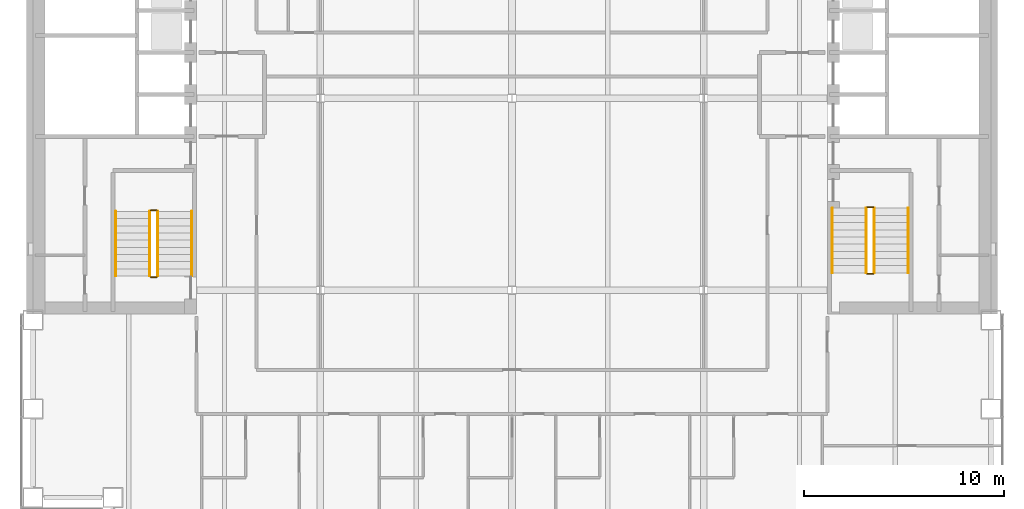
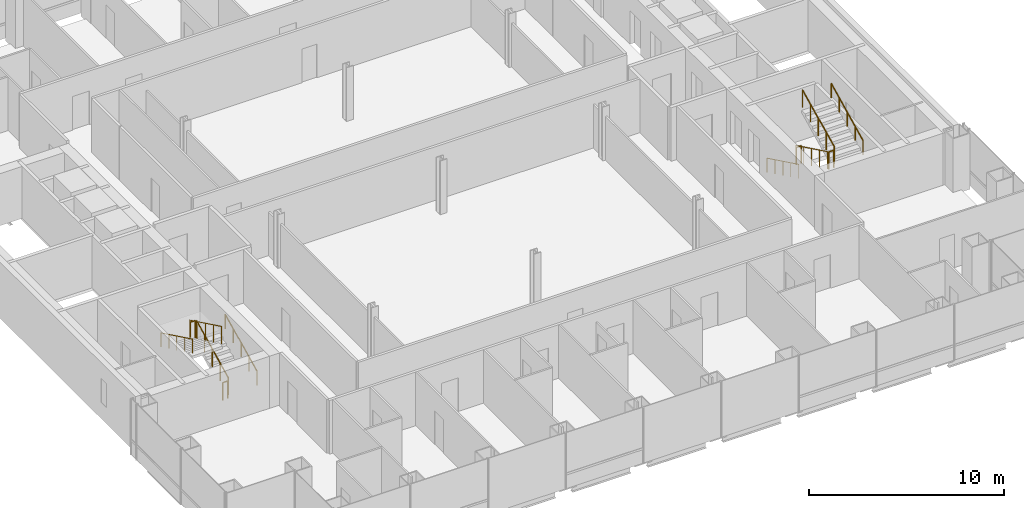
# One storey, part 20 of 21: 12 railings.
"""IFC4 building model written with IfcOpenShell, lengths in metres."""

from ifc_helpers import new_model, si_unit, direction, frame, origin, origin_2d, place, context, subcontext, project, spatial, circle, extrude, material, type_object, element, save


model = new_model("IFC4")

# Units and contexts
model_context = context("Model", 3, precision=1e-05, world=origin(), true_north=direction((0.0, 1.0)))
body_context = subcontext(model_context, "Body", "Model", "MODEL_VIEW")
ifc_project = project(units=[si_unit("LENGTHUNIT", "METRE"), si_unit("AREAUNIT", "SQUARE_METRE"), si_unit("VOLUMEUNIT", "CUBIC_METRE"), si_unit("PLANEANGLEUNIT", "RADIAN"), si_unit("MASSUNIT", "GRAM", prefix="KILO")], contexts=[model_context])

# Site, building, storey
site_placement = place(None, origin())
site = spatial("IfcSite", under=ifc_project, at=site_placement, CompositionType="ELEMENT")
building_placement = place(site_placement, origin())
building = spatial("IfcBuilding", under=site, at=building_placement, Name="Cobrizo Arcos Hotel Tower", CompositionType="ELEMENT")
storey_placement = place(building_placement, frame((0.0, 0.0, 42.5)))
storey = spatial("IfcBuildingStorey", under=building, at=storey_placement, Name="L08", CompositionType="ELEMENT", Elevation=42.5)

# Railings
ifc_material = material(Name="Stainless steel railing", Category="steel")
railing_type_1 = type_object("IfcRailingType", Name="Stair guard 1100", PredefinedType="GUARDRAIL", material=ifc_material)
railing_1_placement = place(storey_placement, frame((-17.75, -8.89990234375, 0.175048828125)))
element("IfcRailing", 1, at=railing_1_placement, inside=storey, type_object=railing_type_1, Name="L08 ST-W stair guard 1", PredefinedType="GUARDRAIL", context=body_context, shape_type="SweptSolid", body=[
    extrude(circle(Radius=0.02392578125, at=origin_2d()), frame((0.0, 0.0, 1.076171875), z_axis=(0.0, 0.899372665325, 0.437182809435), x_axis=(-1.0, 0.0, 0.0)), (0.0, 0.0, 1.0), 3.6025390625),
    extrude(circle(Radius=0.02099609375, at=origin_2d()), origin(), (0.0, 0.0, 1.0), 1.052001953125),
    extrude(circle(Radius=0.02099609375, at=origin_2d()), frame((0.0, 0.81005859375, 0.393798828125)), (0.0, 0.0, 1.0), 1.052001953125),
    extrude(circle(Radius=0.02099609375, at=origin_2d()), frame((0.0, 1.6201171875, 0.78759765625)), (0.0, 0.0, 1.0), 1.052001953125),
    extrude(circle(Radius=0.02099609375, at=origin_2d()), frame((0.0, 2.429931640625, 1.18115234375)), (0.0, 0.0, 1.0), 1.052001953125),
    extrude(circle(Radius=0.02099609375, at=origin_2d()), frame((0.0, 3.239990234375, 1.574951171875)), (0.0, 0.0, 1.0), 1.052001953125),
])
railing_2_placement = place(storey_placement, frame((-17.800048828125, -5.610107421875, 1.75)))
element("IfcRailing", 2, at=railing_2_placement, inside=storey, type_object=railing_type_1, Name="L08 ST-W stair guard 2", PredefinedType="GUARDRAIL", context=body_context, shape_type="SweptSolid", body=[
    extrude(circle(Radius=0.02392578125, at=origin_2d()), frame((0.0, 0.0, 1.076171875), z_axis=(-1.0, 0.0, 0.0), x_axis=(0.0, -1.0, 0.0)), (0.0, 0.0, 1.0), 0.300048828125),
    extrude(circle(Radius=0.02099609375, at=origin_2d()), origin(), (0.0, 0.0, 1.0), 1.052001953125),
    extrude(circle(Radius=0.02099609375, at=origin_2d()), frame((-0.300048828125, 0.0, 0.0)), (0.0, 0.0, 1.0), 1.052001953125),
])
railing_3_placement = place(storey_placement, frame((-18.14990234375, -5.659912109375, 1.925048828125)))
element("IfcRailing", 3, at=railing_3_placement, inside=storey, type_object=railing_type_1, Name="L08 ST-W stair guard 3", PredefinedType="GUARDRAIL", context=body_context, shape_type="SweptSolid", body=[
    extrude(circle(Radius=0.02392578125, at=origin_2d()), frame((0.0, 0.0, 1.076171875), z_axis=(0.0, -0.899372665325, 0.437182809435), x_axis=(1.0, 0.0, 0.0)), (0.0, 0.0, 1.0), 3.6025390625),
    extrude(circle(Radius=0.02099609375, at=origin_2d()), origin(), (0.0, 0.0, 1.0), 1.052001953125),
    extrude(circle(Radius=0.02099609375, at=origin_2d()), frame((0.0, -0.81005859375, 0.393798828125)), (0.0, 0.0, 1.0), 1.052001953125),
    extrude(circle(Radius=0.02099609375, at=origin_2d()), frame((0.0, -1.6201171875, 0.78759765625)), (0.0, 0.0, 1.0), 1.052001953125),
    extrude(circle(Radius=0.02099609375, at=origin_2d()), frame((0.0, -2.429931640625, 1.18115234375)), (0.0, 0.0, 1.0), 1.052001953125),
    extrude(circle(Radius=0.02099609375, at=origin_2d()), frame((0.0, -3.239990234375, 1.574951171875)), (0.0, 0.0, 1.0), 1.052001953125),
])
railing_4_placement = place(storey_placement, frame((-17.800048828125, -8.949951171875, 0.0)))
element("IfcRailing", 4, at=railing_4_placement, inside=storey, type_object=railing_type_1, Name="L08 ST-W stair guard 4", PredefinedType="GUARDRAIL", context=body_context, shape_type="SweptSolid", body=[
    extrude(circle(Radius=0.02392578125, at=origin_2d()), frame((0.0, 0.0, 1.076171875), z_axis=(-1.0, 0.0, 0.0), x_axis=(0.0, -1.0, 0.0)), (0.0, 0.0, 1.0), 0.300048828125),
    extrude(circle(Radius=0.02099609375, at=origin_2d()), origin(), (0.0, 0.0, 1.0), 1.052001953125),
    extrude(circle(Radius=0.02099609375, at=origin_2d()), frame((-0.300048828125, 0.0, 0.0)), (0.0, 0.0, 1.0), 1.052001953125),
])
railing_5_placement = place(storey_placement, frame((17.75, -5.5, 0.175048828125)))
element("IfcRailing", 5, at=railing_5_placement, inside=storey, type_object=railing_type_1, Name="L08 ST-E stair guard 1", PredefinedType="GUARDRAIL", context=body_context, shape_type="SweptSolid", body=[
    extrude(circle(Radius=0.02392578125, at=origin_2d()), frame((0.0, 0.0, 1.076171875), z_axis=(0.0, -0.899372665325, 0.437182809435), x_axis=(1.0, 0.0, 0.0)), (0.0, 0.0, 1.0), 3.6025390625),
    extrude(circle(Radius=0.02099609375, at=origin_2d()), origin(), (0.0, 0.0, 1.0), 1.052001953125),
    extrude(circle(Radius=0.02099609375, at=origin_2d()), frame((0.0, -0.81005859375, 0.393798828125)), (0.0, 0.0, 1.0), 1.052001953125),
    extrude(circle(Radius=0.02099609375, at=origin_2d()), frame((0.0, -1.6201171875, 0.78759765625)), (0.0, 0.0, 1.0), 1.052001953125),
    extrude(circle(Radius=0.02099609375, at=origin_2d()), frame((0.0, -2.429931640625, 1.18115234375)), (0.0, 0.0, 1.0), 1.052001953125),
    extrude(circle(Radius=0.02099609375, at=origin_2d()), frame((0.0, -3.239990234375, 1.574951171875)), (0.0, 0.0, 1.0), 1.052001953125),
])
railing_6_placement = place(storey_placement, frame((17.800048828125, -8.7900390625, 1.75)))
element("IfcRailing", 6, at=railing_6_placement, inside=storey, type_object=railing_type_1, Name="L08 ST-E stair guard 2", PredefinedType="GUARDRAIL", context=body_context, shape_type="SweptSolid", body=[
    extrude(circle(Radius=0.02392578125, at=origin_2d()), frame((0.0, 0.0, 1.076171875), z_axis=(1.0, 0.0, 0.0), x_axis=(0.0, 1.0, 0.0)), (0.0, 0.0, 1.0), 0.300048828125),
    extrude(circle(Radius=0.02099609375, at=origin_2d()), origin(), (0.0, 0.0, 1.0), 1.052001953125),
    extrude(circle(Radius=0.02099609375, at=origin_2d()), frame((0.300048828125, 0.0, 0.0)), (0.0, 0.0, 1.0), 1.052001953125),
])
railing_7_placement = place(storey_placement, frame((18.14990234375, -8.739990234375, 1.925048828125)))
element("IfcRailing", 7, at=railing_7_placement, inside=storey, type_object=railing_type_1, Name="L08 ST-E stair guard 3", PredefinedType="GUARDRAIL", context=body_context, shape_type="SweptSolid", body=[
    extrude(circle(Radius=0.02392578125, at=origin_2d()), frame((0.0, 0.0, 1.076171875), z_axis=(0.0, 0.899372665325, 0.437182809435), x_axis=(-1.0, 0.0, 0.0)), (0.0, 0.0, 1.0), 3.6025390625),
    extrude(circle(Radius=0.02099609375, at=origin_2d()), origin(), (0.0, 0.0, 1.0), 1.052001953125),
    extrude(circle(Radius=0.02099609375, at=origin_2d()), frame((0.0, 0.81005859375, 0.393798828125)), (0.0, 0.0, 1.0), 1.052001953125),
    extrude(circle(Radius=0.02099609375, at=origin_2d()), frame((0.0, 1.6201171875, 0.78759765625)), (0.0, 0.0, 1.0), 1.052001953125),
    extrude(circle(Radius=0.02099609375, at=origin_2d()), frame((0.0, 2.429931640625, 1.18115234375)), (0.0, 0.0, 1.0), 1.052001953125),
    extrude(circle(Radius=0.02099609375, at=origin_2d()), frame((0.0, 3.239990234375, 1.574951171875)), (0.0, 0.0, 1.0), 1.052001953125),
])
railing_8_placement = place(storey_placement, frame((17.800048828125, -5.449951171875, 0.0)))
element("IfcRailing", 8, at=railing_8_placement, inside=storey, type_object=railing_type_1, Name="L08 ST-E stair guard 4", PredefinedType="GUARDRAIL", context=body_context, shape_type="SweptSolid", body=[
    extrude(circle(Radius=0.02392578125, at=origin_2d()), frame((0.0, 0.0, 1.076171875), z_axis=(1.0, 0.0, 0.0), x_axis=(0.0, 1.0, 0.0)), (0.0, 0.0, 1.0), 0.300048828125),
    extrude(circle(Radius=0.02099609375, at=origin_2d()), origin(), (0.0, 0.0, 1.0), 1.052001953125),
    extrude(circle(Radius=0.02099609375, at=origin_2d()), frame((0.300048828125, 0.0, 0.0)), (0.0, 0.0, 1.0), 1.052001953125),
])
railing_type_2 = type_object("IfcRailingType", Name="Stair handrail", PredefinedType="HANDRAIL", material=ifc_material)
railing_9_placement = place(storey_placement, frame((-16.050048828125, -8.89990234375, 0.175048828125)))
element("IfcRailing", 9, at=railing_9_placement, inside=storey, type_object=railing_type_2, Name="L08 ST-W stair handrail 1", PredefinedType="HANDRAIL", context=body_context, shape_type="SweptSolid", body=[
    extrude(circle(Radius=0.02392578125, at=origin_2d()), frame((0.0, 0.0, 0.8759765625), z_axis=(0.0, 0.899372665325, 0.437182809435), x_axis=(-1.0, 0.0, 0.0)), (0.0, 0.0, 1.0), 3.6025390625),
    extrude(circle(Radius=0.02099609375, at=origin_2d()), origin(), (0.0, 0.0, 1.0), 0.851806640625),
    extrude(circle(Radius=0.02099609375, at=origin_2d()), frame((0.0, 0.81005859375, 0.393798828125)), (0.0, 0.0, 1.0), 0.851806640625),
    extrude(circle(Radius=0.02099609375, at=origin_2d()), frame((0.0, 1.6201171875, 0.78759765625)), (0.0, 0.0, 1.0), 0.851806640625),
    extrude(circle(Radius=0.02099609375, at=origin_2d()), frame((0.0, 2.429931640625, 1.18115234375)), (0.0, 0.0, 1.0), 0.851806640625),
    extrude(circle(Radius=0.02099609375, at=origin_2d()), frame((0.0, 3.239990234375, 1.574951171875)), (0.0, 0.0, 1.0), 0.851806640625),
])
for number, where, name in (
    (10, (-19.85009765625, -5.659912109375, 1.925048828125), "L08 ST-W stair handrail 2"),
    (11, (16.050048828125, -5.5, 0.175048828125), "L08 ST-E stair handrail 1"),
):
    element("IfcRailing", number, at=place(storey_placement, frame(where)), inside=storey, type_object=railing_type_2, Name=name, PredefinedType="HANDRAIL", context=body_context, shape_type="SweptSolid", body=[
        extrude(circle(Radius=0.02392578125, at=origin_2d()), frame((0.0, 0.0, 0.8759765625), z_axis=(0.0, -0.899372665325, 0.437182809435), x_axis=(1.0, 0.0, 0.0)), (0.0, 0.0, 1.0), 3.6025390625),
        extrude(circle(Radius=0.02099609375, at=origin_2d()), origin(), (0.0, 0.0, 1.0), 0.851806640625),
        extrude(circle(Radius=0.02099609375, at=origin_2d()), frame((0.0, -0.81005859375, 0.393798828125)), (0.0, 0.0, 1.0), 0.851806640625),
        extrude(circle(Radius=0.02099609375, at=origin_2d()), frame((0.0, -1.6201171875, 0.78759765625)), (0.0, 0.0, 1.0), 0.851806640625),
        extrude(circle(Radius=0.02099609375, at=origin_2d()), frame((0.0, -2.429931640625, 1.18115234375)), (0.0, 0.0, 1.0), 0.851806640625),
        extrude(circle(Radius=0.02099609375, at=origin_2d()), frame((0.0, -3.239990234375, 1.574951171875)), (0.0, 0.0, 1.0), 0.851806640625),
    ])
railing_10_placement = place(storey_placement, frame((19.85009765625, -8.739990234375, 1.925048828125)))
element("IfcRailing", 12, at=railing_10_placement, inside=storey, type_object=railing_type_2, Name="L08 ST-E stair handrail 2", PredefinedType="HANDRAIL", context=body_context, shape_type="SweptSolid", body=[
    extrude(circle(Radius=0.02392578125, at=origin_2d()), frame((0.0, 0.0, 0.8759765625), z_axis=(0.0, 0.899372665325, 0.437182809435), x_axis=(-1.0, 0.0, 0.0)), (0.0, 0.0, 1.0), 3.6025390625),
    extrude(circle(Radius=0.02099609375, at=origin_2d()), origin(), (0.0, 0.0, 1.0), 0.851806640625),
    extrude(circle(Radius=0.02099609375, at=origin_2d()), frame((0.0, 0.81005859375, 0.393798828125)), (0.0, 0.0, 1.0), 0.851806640625),
    extrude(circle(Radius=0.02099609375, at=origin_2d()), frame((0.0, 1.6201171875, 0.78759765625)), (0.0, 0.0, 1.0), 0.851806640625),
    extrude(circle(Radius=0.02099609375, at=origin_2d()), frame((0.0, 2.429931640625, 1.18115234375)), (0.0, 0.0, 1.0), 0.851806640625),
    extrude(circle(Radius=0.02099609375, at=origin_2d()), frame((0.0, 3.239990234375, 1.574951171875)), (0.0, 0.0, 1.0), 0.851806640625),
])

save(model, "model.ifc")
